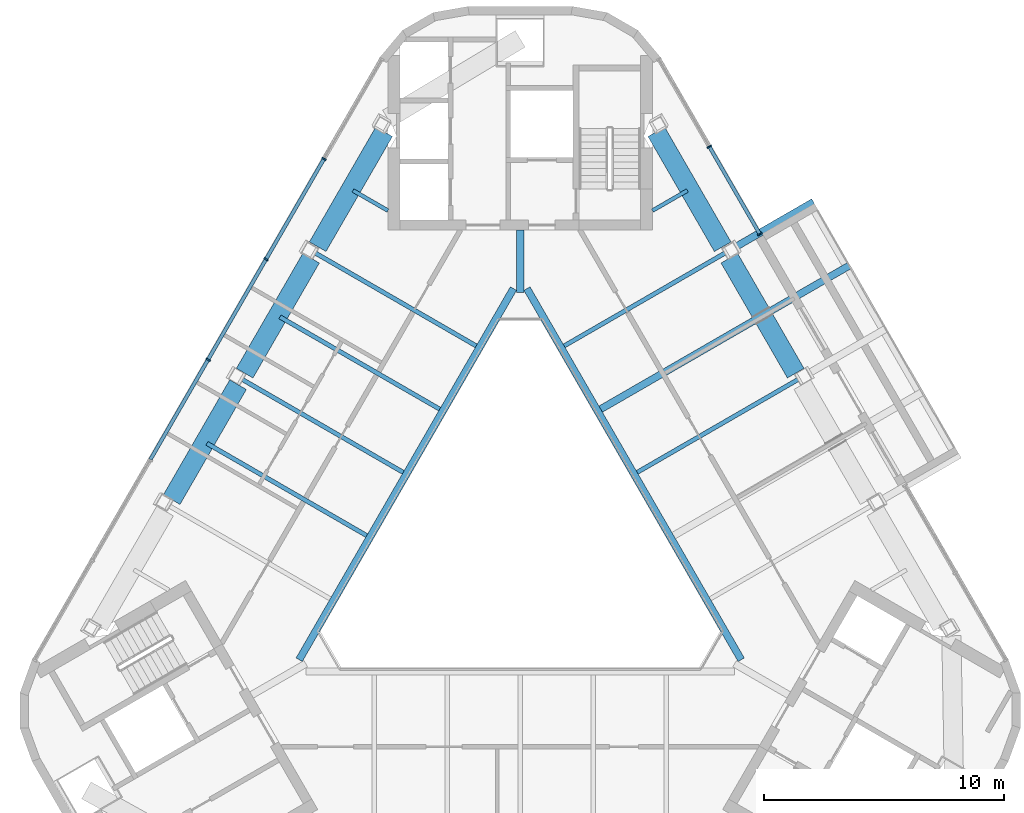
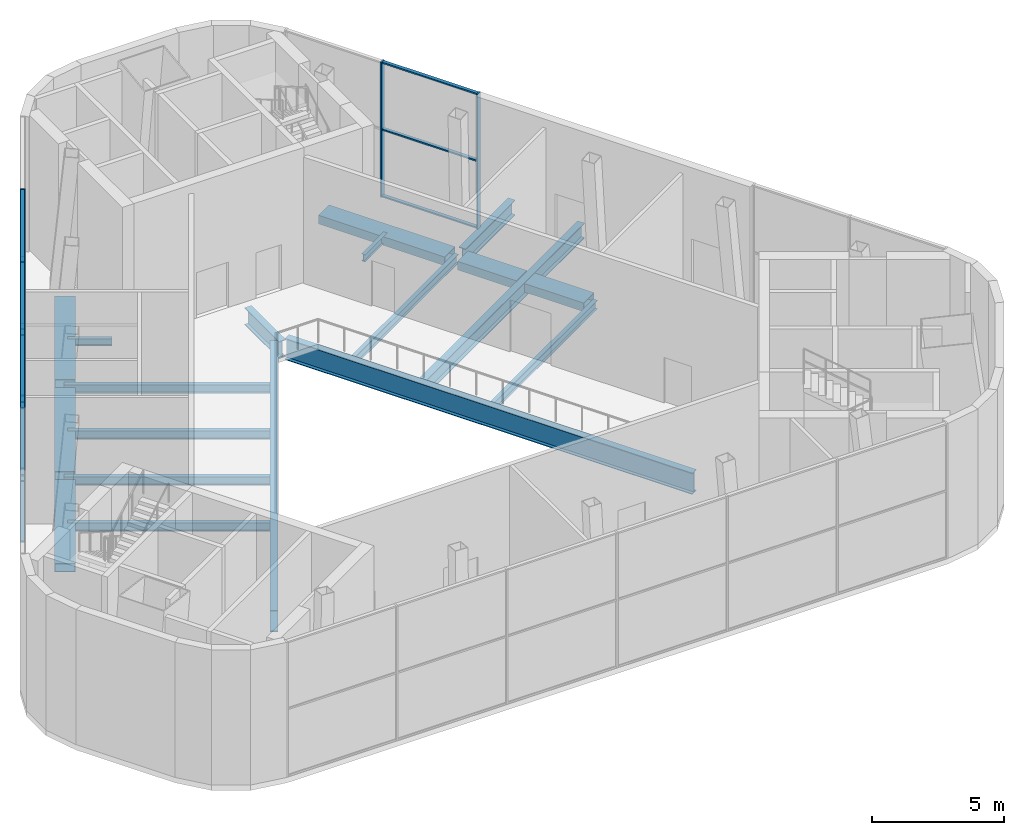
# One storey, part 3 of 12: 19 beams, 17 members, 2 elements without a shape of their own.
"""IFC4 building model written with IfcOpenShell, lengths in metres."""

from ifc_helpers import new_model, si_unit, direction, frame, origin, origin_2d, place, context, subcontext, project, spatial, rectangle, hollow_rectangle, i_section, extrude, material, layer, layer_set, material_profile, profile_set, type_object, element, aggregate, save


model = new_model("IFC4")

# Units and contexts
model_context = context("Model", 3, precision=1e-05, world=origin(), true_north=direction((0.0, 1.0)))
body_context = subcontext(model_context, "Body", "Model", "MODEL_VIEW")
ifc_project = project(units=[si_unit("LENGTHUNIT", "METRE"), si_unit("AREAUNIT", "SQUARE_METRE"), si_unit("VOLUMEUNIT", "CUBIC_METRE"), si_unit("PLANEANGLEUNIT", "RADIAN"), si_unit("MASSUNIT", "GRAM", prefix="KILO")], contexts=[model_context])

# Site, building, storey
site_placement = place(None, origin())
site = spatial("IfcSite", under=ifc_project, at=site_placement, CompositionType="ELEMENT")
building_placement = place(site_placement, origin())
building = spatial("IfcBuilding", under=site, at=building_placement, Name="Apuvela Tower Hotel", CompositionType="ELEMENT")
storey_placement = place(building_placement, frame((0.0, 0.0, 331.800048828125)))
storey = spatial("IfcBuildingStorey", under=building, at=storey_placement, Name="L83", CompositionType="ELEMENT", Elevation=331.800048828125)

# Curtain wall, members
ifc_material_1 = material(Name="Aluminium 6063-T6, dark bronze anodised", Category="aluminium")
ifc_layer = layer(ifc_material_1, 0.199951171875)
ifc_layer_set = layer_set([ifc_layer], Name="ENV-CW-L")
curtain_wall_type = type_object("IfcCurtainWallType", Name="ENV-CW-L", PredefinedType="NOTDEFINED", material=ifc_layer_set)
curtain_wall_1_placement = place(storey_placement, origin())
curtain_wall_1 = element("IfcCurtainWall", 1, at=curtain_wall_1_placement, inside=storey, type_object=curtain_wall_type, Name="Curtain wall CW-L NE L83-2", PredefinedType="NOTDEFINED")
ifc_material_profile_1 = material_profile(ifc_material_1, rectangle(XDim=0.199951171875, YDim=0.06494140625, at=origin_2d()), Name="AL 65x200")
ifc_profile_set_1 = profile_set([ifc_material_profile_1], Name="Aluminium 6063-T6, dark bronze anodised")
member_type_1 = type_object("IfcMemberType", Name="ENV-MULLION-65x200", PredefinedType="MULLION", material=ifc_profile_set_1)
member_1_placement = place(storey_placement, frame((9.96826171875, 12.720947265625, 0.0), z_axis=(0.0, 0.0, 1.0), x_axis=(-0.866022938296, -0.500004270328, 0.0)))
member_1 = element("IfcMember", 2, at=member_1_placement, type_object=member_type_1, Name="CW-L mullion 1", PredefinedType="MULLION", context=body_context, shape_type="SweptSolid", body=[
    extrude(rectangle(XDim=0.199951171875, YDim=0.06494140625, at=origin_2d()), origin(), (0.0, 0.0, 1.0), 6.25),
])
member_2_placement = place(storey_placement, frame((7.86767578125, 16.359130859375, 0.0), z_axis=(0.0, 0.0, 1.0), x_axis=(-0.866022938296, -0.500004270328, 0.0)))
member_2 = element("IfcMember", 3, at=member_2_placement, type_object=member_type_1, Name="CW-L mullion 2", PredefinedType="MULLION", context=body_context, shape_type="SweptSolid", body=[
    extrude(rectangle(XDim=0.199951171875, YDim=0.06494140625, at=origin_2d()), origin(), (0.0, 0.0, 1.0), 6.25),
])

curtain_wall_2_placement = place(storey_placement, origin())
curtain_wall_2 = element("IfcCurtainWall", 4, at=curtain_wall_2_placement, inside=storey, type_object=curtain_wall_type, Name="Curtain wall CW-L NW L83", PredefinedType="NOTDEFINED")
member_3_placement = place(storey_placement, frame((-8.162109375, 15.849365234375, 0.0), z_axis=(0.0, 0.0, 1.0), x_axis=(0.866025415461, -0.499999979776, 0.0)))
member_3 = element("IfcMember", 5, at=member_3_placement, type_object=member_type_1, Name="CW-L mullion 2", PredefinedType="MULLION", context=body_context, shape_type="SweptSolid", body=[
    extrude(rectangle(XDim=0.199951171875, YDim=0.06494140625, at=origin_2d()), origin(), (0.0, 0.0, 1.0), 6.25),
])
member_4_placement = place(storey_placement, frame((-10.5732421875, 11.673095703125, 0.0), z_axis=(0.0, 0.0, 1.0), x_axis=(0.866025415461, -0.499999979776, 0.0)))
member_4 = element("IfcMember", 6, at=member_4_placement, type_object=member_type_1, Name="CW-L mullion 3", PredefinedType="MULLION", context=body_context, shape_type="SweptSolid", body=[
    extrude(rectangle(XDim=0.199951171875, YDim=0.06494140625, at=origin_2d()), origin(), (0.0, 0.0, 1.0), 6.25),
])
member_5_placement = place(storey_placement, frame((-12.984619140625, 7.49658203125, 0.0), z_axis=(0.0, 0.0, 1.0), x_axis=(0.866025415461, -0.499999979776, 0.0)))
member_5 = element("IfcMember", 7, at=member_5_placement, type_object=member_type_1, Name="CW-L mullion 4", PredefinedType="MULLION", context=body_context, shape_type="SweptSolid", body=[
    extrude(rectangle(XDim=0.199951171875, YDim=0.06494140625, at=origin_2d()), origin(), (0.0, 0.0, 1.0), 6.25),
])

# Member
ifc_material_profile_2 = material_profile(ifc_material_1, rectangle(XDim=0.14990234375, YDim=0.06494140625, at=origin_2d()), Name="AL 65x150 transom")
ifc_profile_set_2 = profile_set([ifc_material_profile_2], Name="Aluminium 6063-T6, dark bronze anodised")
member_type_2 = type_object("IfcMemberType", Name="ENV-TRANSOM-65x150", PredefinedType="USERDEFINED", material=ifc_profile_set_2)
member_6_placement = place(storey_placement, frame((9.9521484375, 12.7490234375, 0.032470703125), z_axis=(-0.50000517286, 0.866022417212, 0.0), x_axis=(-0.866022417212, -0.50000517286, 0.0)))
member_6 = element("IfcMember", 8, at=member_6_placement, type_object=member_type_2, Name="CW-L transom 1.1", ObjectType="TRANSOM", PredefinedType="USERDEFINED", context=body_context, shape_type="SweptSolid", body=[
    extrude(rectangle(XDim=0.14990234375, YDim=0.06494140625, at=origin_2d()), origin(), (0.0, 0.0, 1.0), 4.13623046875),
])

member_7_placement = place(storey_placement, frame((9.9521484375, 12.7490234375, 3.125), z_axis=(-0.50000517286, 0.866022417212, 0.0), x_axis=(-0.866022417212, -0.50000517286, 0.0)))
member_7 = element("IfcMember", 9, at=member_7_placement, type_object=member_type_2, Name="CW-L transom 1.2", ObjectType="TRANSOM", PredefinedType="USERDEFINED", context=body_context, shape_type="SweptSolid", body=[
    extrude(rectangle(XDim=0.14990234375, YDim=0.06494140625, at=origin_2d()), origin(), (0.0, 0.0, 1.0), 4.13623046875),
])

member_8_placement = place(storey_placement, frame((9.9521484375, 12.7490234375, 6.217529296875), z_axis=(-0.50000517286, 0.866022417212, 0.0), x_axis=(-0.866022417212, -0.50000517286, 0.0)))
member_8 = element("IfcMember", 10, at=member_8_placement, type_object=member_type_2, Name="CW-L transom 1.3", ObjectType="TRANSOM", PredefinedType="USERDEFINED", context=body_context, shape_type="SweptSolid", body=[
    extrude(rectangle(XDim=0.14990234375, YDim=0.06494140625, at=origin_2d()), origin(), (0.0, 0.0, 1.0), 4.13623046875),
])

aggregate(curtain_wall_1, [member_1, member_2, member_6, member_7, member_8])

member_9_placement = place(storey_placement, frame((-8.178466796875, 15.8212890625, 0.032470703125), z_axis=(-0.499986023258, -0.86603347311, 0.0), x_axis=(0.86603347311, -0.499986023258, 0.0)))
member_9 = element("IfcMember", 11, at=member_9_placement, type_object=member_type_2, Name="CW-L transom 2.1", ObjectType="TRANSOM", PredefinedType="USERDEFINED", context=body_context, shape_type="SweptSolid", body=[
    extrude(rectangle(XDim=0.14990234375, YDim=0.06494140625, at=origin_2d()), origin(), (0.0, 0.0, 1.0), 4.757568359375),
])

member_10_placement = place(storey_placement, frame((-8.178466796875, 15.8212890625, 3.125), z_axis=(-0.499986023258, -0.86603347311, 0.0), x_axis=(0.86603347311, -0.499986023258, 0.0)))
member_10 = element("IfcMember", 12, at=member_10_placement, type_object=member_type_2, Name="CW-L transom 2.2", ObjectType="TRANSOM", PredefinedType="USERDEFINED", context=body_context, shape_type="SweptSolid", body=[
    extrude(rectangle(XDim=0.14990234375, YDim=0.06494140625, at=origin_2d()), origin(), (0.0, 0.0, 1.0), 4.757568359375),
])

member_11_placement = place(storey_placement, frame((-8.178466796875, 15.8212890625, 6.217529296875), z_axis=(-0.499986023258, -0.86603347311, 0.0), x_axis=(0.86603347311, -0.499986023258, 0.0)))
member_11 = element("IfcMember", 13, at=member_11_placement, type_object=member_type_2, Name="CW-L transom 2.3", ObjectType="TRANSOM", PredefinedType="USERDEFINED", context=body_context, shape_type="SweptSolid", body=[
    extrude(rectangle(XDim=0.14990234375, YDim=0.06494140625, at=origin_2d()), origin(), (0.0, 0.0, 1.0), 4.757568359375),
])

member_12_placement = place(storey_placement, frame((-10.589599609375, 11.644775390625, 0.032470703125), z_axis=(-0.50000824478, -0.866020643606, 0.0), x_axis=(0.866020643606, -0.50000824478, 0.0)))
member_12 = element("IfcMember", 14, at=member_12_placement, type_object=member_type_2, Name="CW-L transom 3.1", ObjectType="TRANSOM", PredefinedType="USERDEFINED", context=body_context, shape_type="SweptSolid", body=[
    extrude(rectangle(XDim=0.14990234375, YDim=0.06494140625, at=origin_2d()), origin(), (0.0, 0.0, 1.0), 4.75732421875),
])

member_13_placement = place(storey_placement, frame((-10.589599609375, 11.644775390625, 3.125), z_axis=(-0.50000824478, -0.866020643606, 0.0), x_axis=(0.866020643606, -0.50000824478, 0.0)))
member_13 = element("IfcMember", 15, at=member_13_placement, type_object=member_type_2, Name="CW-L transom 3.2", ObjectType="TRANSOM", PredefinedType="USERDEFINED", context=body_context, shape_type="SweptSolid", body=[
    extrude(rectangle(XDim=0.14990234375, YDim=0.06494140625, at=origin_2d()), origin(), (0.0, 0.0, 1.0), 4.75732421875),
])

member_14_placement = place(storey_placement, frame((-10.589599609375, 11.644775390625, 6.217529296875), z_axis=(-0.50000824478, -0.866020643606, 0.0), x_axis=(0.866020643606, -0.50000824478, 0.0)))
member_14 = element("IfcMember", 16, at=member_14_placement, type_object=member_type_2, Name="CW-L transom 3.3", ObjectType="TRANSOM", PredefinedType="USERDEFINED", context=body_context, shape_type="SweptSolid", body=[
    extrude(rectangle(XDim=0.14990234375, YDim=0.06494140625, at=origin_2d()), origin(), (0.0, 0.0, 1.0), 4.75732421875),
])

member_15_placement = place(storey_placement, frame((-13.000732421875, 7.468505859375, 0.032470703125), z_axis=(-0.50002451059, -0.866011252126, 0.0), x_axis=(0.866011252126, -0.50002451059, 0.0)))
member_15 = element("IfcMember", 17, at=member_15_placement, type_object=member_type_2, Name="CW-L transom 4.1", ObjectType="TRANSOM", PredefinedType="USERDEFINED", context=body_context, shape_type="SweptSolid", body=[
    extrude(rectangle(XDim=0.14990234375, YDim=0.06494140625, at=origin_2d()), origin(), (0.0, 0.0, 1.0), 4.757568359375),
])

member_16_placement = place(storey_placement, frame((-13.000732421875, 7.468505859375, 3.125), z_axis=(-0.50002451059, -0.866011252126, 0.0), x_axis=(0.866011252126, -0.50002451059, 0.0)))
member_16 = element("IfcMember", 18, at=member_16_placement, type_object=member_type_2, Name="CW-L transom 4.2", ObjectType="TRANSOM", PredefinedType="USERDEFINED", context=body_context, shape_type="SweptSolid", body=[
    extrude(rectangle(XDim=0.14990234375, YDim=0.06494140625, at=origin_2d()), origin(), (0.0, 0.0, 1.0), 4.757568359375),
])

member_17_placement = place(storey_placement, frame((-13.000732421875, 7.468505859375, 6.217529296875), z_axis=(-0.50002451059, -0.866011252126, 0.0), x_axis=(0.866011252126, -0.50002451059, 0.0)))
member_17 = element("IfcMember", 19, at=member_17_placement, type_object=member_type_2, Name="CW-L transom 4.3", ObjectType="TRANSOM", PredefinedType="USERDEFINED", context=body_context, shape_type="SweptSolid", body=[
    extrude(rectangle(XDim=0.14990234375, YDim=0.06494140625, at=origin_2d()), origin(), (0.0, 0.0, 1.0), 4.757568359375),
])

aggregate(curtain_wall_2, [member_3, member_4, member_5, member_9, member_10, member_11, member_12, member_13, member_14, member_15, member_16, member_17])

# Beams
ifc_material_2 = material(Name="Steel S355", Category="steel")
ifc_material_profile_3 = material_profile(ifc_material_2, i_section(OverallWidth=0.159912109375, OverallDepth=0.330078125, WebThickness=0.007568359375, FlangeThickness=0.011474609375, at=origin_2d()), Name="IPE 330")
ifc_profile_set_3 = profile_set([ifc_material_profile_3], Name="Steel S355")
beam_type_1 = type_object("IfcBeamType", Name="STR-B floor beam IPE 330", PredefinedType="BEAM", material=ifc_profile_set_3)
for number, where, z_axis, x_axis, name in (
    (20, (6.956787109375, 14.537353515625, -0.4150390625), (-0.866028486751, -0.499994660107, 0.0), (0.499994660107, -0.866028486751, 0.0), "Floor beam B1 NE8"),
    (21, (-6.956787109375, 14.537353515625, -0.4150390625), (0.866028486751, -0.499994660107, 0.0), (0.499994660107, 0.866028486751, 0.0), "Floor beam B1 NW2"),
):
    element("IfcBeam", number, at=place(storey_placement, frame(where, z_axis=z_axis, x_axis=x_axis)), inside=storey, type_object=beam_type_1, Name=name, PredefinedType="BEAM", context=body_context, shape_type="SweptSolid", body=[
        extrude(i_section(OverallWidth=0.159912109375, OverallDepth=0.330078125, WebThickness=0.007568359375, FlangeThickness=0.011474609375, at=origin_2d()), origin(), (0.0, 0.0, 1.0), 1.68212890625),
    ])
ifc_material_profile_4 = material_profile(ifc_material_2, i_section(OverallWidth=0.179931640625, OverallDepth=0.39990234375, WebThickness=0.008544921875, FlangeThickness=0.013427734375, at=origin_2d()), Name="IPE 400")
ifc_profile_set_4 = profile_set([ifc_material_profile_4], Name="Steel S355")
beam_type_2 = type_object("IfcBeamType", Name="STR-B floor beam IPE 400", PredefinedType="BEAM", material=ifc_profile_set_4)
for number, where, z_axis, x_axis, name in (
    (22, (11.62060546875, 6.708984375, -0.449951171875), (-0.866034393683, -0.499984428715, 0.0), (0.499984428715, -0.866034393683, 0.0), "Floor beam B2 NE5"),
    (23, (8.58349609375, 11.969482421875, -0.449951171875), (-0.866020837214, -0.500007909448, 0.0), (0.500007909448, -0.866020837214, 0.0), "Floor beam B2 NE7"),
    (24, (-8.58349609375, 11.969482421875, -0.449951171875), (0.866020837214, -0.500007909448, 0.0), (0.500007909448, 0.866020837214, 0.0), "Floor beam B2 NW3"),
):
    element("IfcBeam", number, at=place(storey_placement, frame(where, z_axis=z_axis, x_axis=x_axis)), inside=storey, type_object=beam_type_2, Name=name, PredefinedType="BEAM", context=body_context, shape_type="SweptSolid", body=[
        extrude(i_section(OverallWidth=0.179931640625, OverallDepth=0.39990234375, WebThickness=0.008544921875, FlangeThickness=0.013427734375, at=origin_2d()), origin(), (0.0, 0.0, 1.0), 7.798095703125),
    ])
beam_1_placement = place(storey_placement, frame((-9.993896484375, 9.27685546875, -0.449951171875), z_axis=(0.866031938394, -0.499988681553, 0.0), x_axis=(0.499988681553, 0.866031938394, 0.0)))
element("IfcBeam", 25, at=beam_1_placement, inside=storey, type_object=beam_type_2, Name="Floor beam B2 NW4", PredefinedType="BEAM", context=body_context, shape_type="SweptSolid", body=[
    extrude(i_section(OverallWidth=0.179931640625, OverallDepth=0.39990234375, WebThickness=0.008544921875, FlangeThickness=0.013427734375, at=origin_2d()), origin(), (0.0, 0.0, 1.0), 7.673583984375),
])
beam_2_placement = place(storey_placement, frame((-11.62060546875, 6.708984375, -0.449951171875), z_axis=(0.866034393683, -0.499984428715, 0.0), x_axis=(0.499984428715, 0.866034393683, 0.0)))
element("IfcBeam", 26, at=beam_2_placement, inside=storey, type_object=beam_type_2, Name="Floor beam B2 NW5", PredefinedType="BEAM", context=body_context, shape_type="SweptSolid", body=[
    extrude(i_section(OverallWidth=0.179931640625, OverallDepth=0.39990234375, WebThickness=0.008544921875, FlangeThickness=0.013427734375, at=origin_2d()), origin(), (0.0, 0.0, 1.0), 7.798095703125),
])
beam_3_placement = place(storey_placement, frame((-13.031005859375, 4.016357421875, -0.449951171875), z_axis=(0.866031938394, -0.499988681553, 0.0), x_axis=(0.499988681553, 0.866031938394, 0.0)))
element("IfcBeam", 27, at=beam_3_placement, inside=storey, type_object=beam_type_2, Name="Floor beam B2 NW6", PredefinedType="BEAM", context=body_context, shape_type="SweptSolid", body=[
    extrude(i_section(OverallWidth=0.179931640625, OverallDepth=0.39990234375, WebThickness=0.008544921875, FlangeThickness=0.013427734375, at=origin_2d()), origin(), (0.0, 0.0, 1.0), 7.673583984375),
])
ifc_material_profile_5 = material_profile(ifc_material_2, i_section(OverallWidth=0.300048828125, OverallDepth=0.989990234375, WebThickness=0.0166015625, FlangeThickness=0.031005859375, at=origin_2d()), Name="HE 1000 A")
ifc_profile_set_5 = profile_set([ifc_material_profile_5], Name="Steel S355")
beam_type_3 = type_object("IfcBeamType", Name="STR-G atrium ring girder HE 1000 A", PredefinedType="BEAM", material=ifc_profile_set_5)
for number, where, z_axis, x_axis, name in (
    (28, (-0.27978515625, 10.455078125, -0.7451171875), (-0.500006541319, -0.866021627119, 0.0), (0.866021627119, -0.500006541319, 0.0), "Atrium ring girder G3 N-SW"),
    (29, (9.1943359375, -4.985107421875, -0.7451171875), (-0.500006541319, 0.866021627119, 0.0), (-0.866021627119, -0.500006541319, 0.0), "Atrium ring girder G3 SE-N"),
):
    element("IfcBeam", number, at=place(storey_placement, frame(where, z_axis=z_axis, x_axis=x_axis)), inside=storey, type_object=beam_type_3, Name=name, PredefinedType="BEAM", context=body_context, shape_type="SweptSolid", body=[
        extrude(i_section(OverallWidth=0.300048828125, OverallDepth=0.989990234375, WebThickness=0.0166015625, FlangeThickness=0.031005859375, at=origin_2d()), origin(), (0.0, 0.0, 1.0), 17.828857421875),
    ])
ifc_material_profile_6 = material_profile(ifc_material_2, i_section(OverallWidth=0.300048828125, OverallDepth=0.800048828125, WebThickness=0.017578125, FlangeThickness=0.032958984375, at=origin_2d()), Name="HE 800 B")
ifc_profile_set_6 = profile_set([ifc_material_profile_6], Name="Steel S355")
beam_type_4 = type_object("IfcBeamType", Name="STR-GT core tie beam HE 800 B", PredefinedType="BEAM", material=ifc_profile_set_6)
beam_4_placement = place(storey_placement, frame((0.0, 12.89990234375, -0.650146484375), z_axis=(0.0, -1.0, 0.0), x_axis=(1.0, 0.0, 0.0)))
element("IfcBeam", 30, at=beam_4_placement, inside=storey, type_object=beam_type_4, Name="Core tie beam GT1 N", PredefinedType="BEAM", context=body_context, shape_type="SweptSolid", body=[
    extrude(i_section(OverallWidth=0.300048828125, OverallDepth=0.800048828125, WebThickness=0.017578125, FlangeThickness=0.032958984375, at=origin_2d()), origin(), (0.0, 0.0, 1.0), 2.599853515625),
])
ifc_material_profile_7 = material_profile(ifc_material_2, i_section(OverallWidth=0.300048828125, OverallDepth=0.699951171875, WebThickness=0.01708984375, FlangeThickness=0.031982421875, at=origin_2d()), Name="HE 700 B")
ifc_profile_set_7 = profile_set([ifc_material_profile_7], Name="Steel S355")
beam_type_5 = type_object("IfcBeamType", Name="STR-PB pool cantilever beam HE 700 B", PredefinedType="BEAM", material=ifc_profile_set_7)
beam_5_placement = place(storey_placement, frame((3.348388671875, 5.440185546875, -0.60009765625), z_axis=(0.866023620149, 0.500003089334, 0.0), x_axis=(-0.500003089334, 0.866023620149, 0.0)))
element("IfcBeam", 31, at=beam_5_placement, inside=storey, type_object=beam_type_5, Name="Pool beam PB1 4", PredefinedType="BEAM", context=body_context, shape_type="SweptSolid", body=[
    extrude(i_section(OverallWidth=0.300048828125, OverallDepth=0.699951171875, WebThickness=0.01708984375, FlangeThickness=0.031982421875, at=origin_2d()), origin(), (0.0, 0.0, 1.0), 11.9736328125),
])
beam_6_placement = place(storey_placement, frame((8.951416015625, 12.18212890625, -0.60009765625), z_axis=(0.866039234136, 0.499976044363, 0.0), x_axis=(-0.499976044363, 0.866039234136, 0.0)))
element("IfcBeam", 32, at=beam_6_placement, inside=storey, type_object=beam_type_5, Name="Pool cantilever beam PB1 5", PredefinedType="BEAM", context=body_context, shape_type="SweptSolid", body=[
    extrude(i_section(OverallWidth=0.300048828125, OverallDepth=0.699951171875, WebThickness=0.01708984375, FlangeThickness=0.031982421875, at=origin_2d()), origin(), (0.0, 0.0, 1.0), 3.750244140625),
])
ifc_material_3 = material(Name="Steel S460", Category="steel")
ifc_material_profile_8 = material_profile(ifc_material_3, hollow_rectangle(XDim=0.800048828125, YDim=0.39990234375, WallThickness=0.02490234375, at=origin_2d()), Name="BOX 800x400x25")
ifc_profile_set_8 = profile_set([ifc_material_profile_8], Name="Steel S460")
beam_type_6 = type_object("IfcBeamType", Name="STR-RB perimeter ring beam BOX 800x400x25", PredefinedType="SPANDREL", material=ifc_profile_set_8)
for number, where, z_axis, x_axis, name in (
    (33, (11.46142578125, 6.934814453125, -0.449951171875), (-0.500018667571, 0.866014625789, 0.0), (-0.866014625789, -0.500018667571, 0.0), "Ring beam RB1 NE3a"),
    (34, (9.995361328125, 9.47412109375, -0.449951171875), (-0.500018667571, 0.866014625789, 0.0), (-0.866014625789, -0.500018667571, 0.0), "Ring beam RB1 NE3b"),
):
    element("IfcBeam", number, at=place(storey_placement, frame(where, z_axis=z_axis, x_axis=x_axis)), inside=storey, type_object=beam_type_6, Name=name, PredefinedType="SPANDREL", context=body_context, shape_type="SweptSolid", body=[
        extrude(hollow_rectangle(XDim=0.800048828125, YDim=0.39990234375, WallThickness=0.02490234375, at=origin_2d()), origin(), (0.0, 0.0, 1.0), 2.59228515625),
    ])
for number, where, z_axis, x_axis, name in (
    (35, (8.42431640625, 12.1953125, -0.449951171875), (-0.500027228848, 0.866009682631, 0.0), (-0.866009682631, -0.500027228848, 0.0), "Ring beam RB1 NE4"),
    (36, (-5.662109375, 16.979248046875, -0.449951171875), (-0.500027228848, -0.866009682631, 0.0), (0.866009682631, -0.500027228848, 0.0), "Ring beam RB1 NW1"),
):
    element("IfcBeam", number, at=place(storey_placement, frame(where, z_axis=z_axis, x_axis=x_axis)), inside=storey, type_object=beam_type_6, Name=name, PredefinedType="SPANDREL", context=body_context, shape_type="SweptSolid", body=[
        extrude(hollow_rectangle(XDim=0.800048828125, YDim=0.39990234375, WallThickness=0.02490234375, at=origin_2d()), origin(), (0.0, 0.0, 1.0), 5.524169921875),
    ])
for number, where, z_axis, x_axis, name in (
    (37, (-8.69921875, 11.718994140625, -0.449951171875), (-0.500008091576, -0.86602073206, 0.0), (0.86602073206, -0.500008091576, 0.0), "Ring beam RB1 NW2"),
    (38, (-11.736328125, 6.45849609375, -0.449951171875), (-0.500008091576, -0.86602073206, 0.0), (0.86602073206, -0.500008091576, 0.0), "Ring beam RB1 NW3"),
):
    element("IfcBeam", number, at=place(storey_placement, frame(where, z_axis=z_axis, x_axis=x_axis)), inside=storey, type_object=beam_type_6, Name=name, PredefinedType="SPANDREL", context=body_context, shape_type="SweptSolid", body=[
        extrude(hollow_rectangle(XDim=0.800048828125, YDim=0.39990234375, WallThickness=0.02490234375, at=origin_2d()), origin(), (0.0, 0.0, 1.0), 5.5244140625),
    ])

save(model, "model.ifc")
